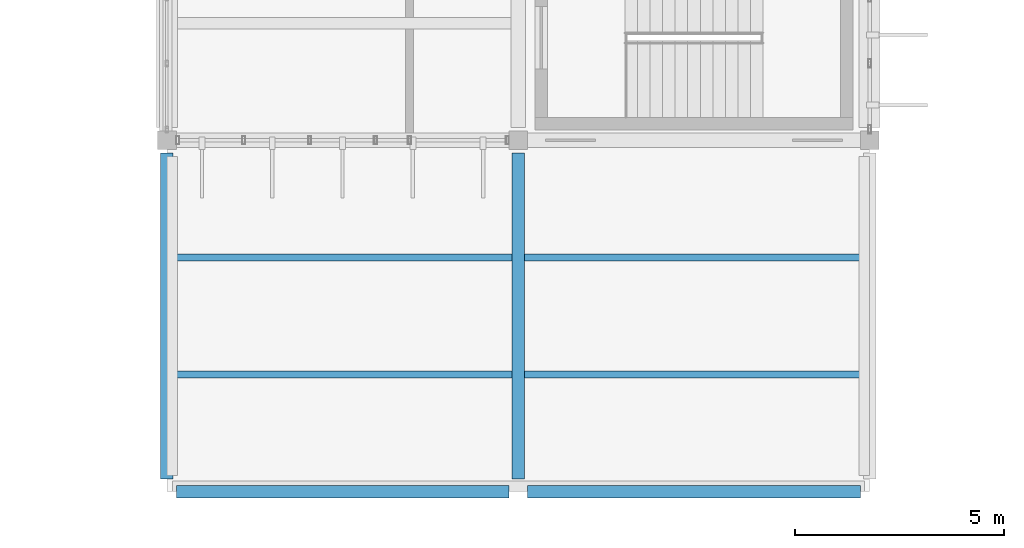
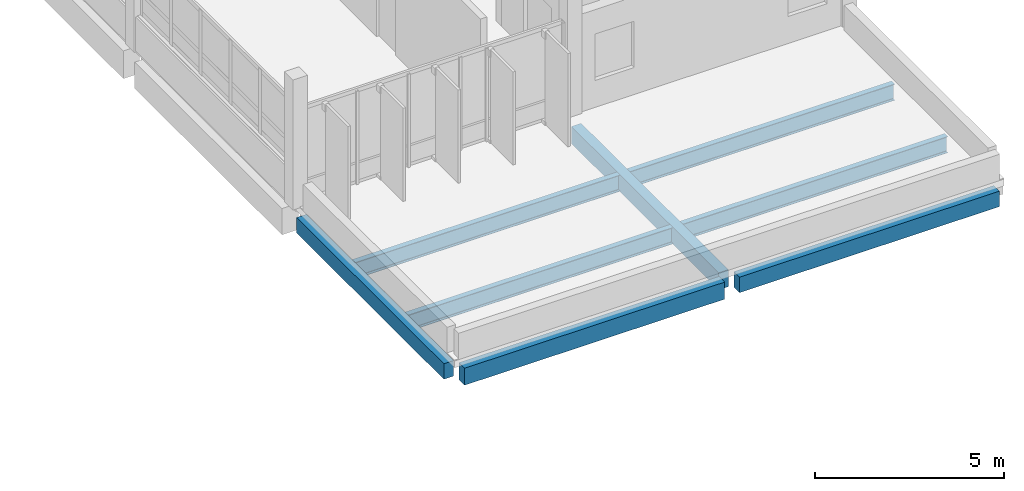
# One storey, part 10 of 62: 8 beams.
"""IFC4 building model written with IfcOpenShell, lengths in metres."""

from ifc_helpers import new_model, si_unit, direction, frame, origin, origin_2d, place, context, subcontext, project, spatial, rectangle, i_section, extrude, material, material_profile, profile_set, type_object, element, save


model = new_model("IFC4")

# Units and contexts
model_context = context("Model", 3, precision=1e-05, world=origin(), true_north=direction((0.0, 1.0)))
body_context = subcontext(model_context, "Body", "Model", "MODEL_VIEW")
ifc_project = project(units=[si_unit("LENGTHUNIT", "METRE"), si_unit("AREAUNIT", "SQUARE_METRE"), si_unit("VOLUMEUNIT", "CUBIC_METRE"), si_unit("PLANEANGLEUNIT", "RADIAN"), si_unit("MASSUNIT", "GRAM", prefix="KILO")], contexts=[model_context])

# Site, building, storey
site_placement = place(None, origin())
site = spatial("IfcSite", under=ifc_project, at=site_placement, CompositionType="ELEMENT")
building_placement = place(site_placement, origin())
building = spatial("IfcBuilding", under=site, at=building_placement, Name="Vireocrest Preparatory School", CompositionType="ELEMENT")
storey_placement = place(building_placement, frame((0.0, 0.0, 17.39990234375)))
storey = spatial("IfcBuildingStorey", under=building, at=storey_placement, Name="L04", CompositionType="ELEMENT", Elevation=17.39990234375)

# Beams
ifc_material_1 = material(Name="Structural steel ASTM A992 Grade 50", Category="steel")
ifc_material_profile_1 = material_profile(ifc_material_1, i_section(OverallWidth=0.166015625, OverallDepth=0.529052734375, WebThickness=0.009765625, FlangeThickness=0.013671875, FilletRadius=0.014892578125, at=origin_2d()), Name="W21X50")
ifc_profile_set_1 = profile_set([ifc_material_profile_1], Name="Structural steel ASTM A992 Grade 50")
beam_type_1 = type_object("IfcBeamType", Name="Pavilion Roof Joist W21X50", PredefinedType="JOIST", material=ifc_profile_set_1)
for number, where, z_axis, x_axis, name in (
    (1, (92.550048828125, 38.199951171875, -0.484375), (1.0, 0.0, 0.0), (0.0, 1.0, 0.0), "Secondary Joist SJ1 L04-1481"),
    (2, (92.550048828125, 41.0, -0.484375), (1.0, 0.0, 0.0), (0.0, 1.0, 0.0), "Secondary Joist SJ1 L04-1482"),
):
    element("IfcBeam", number, at=place(storey_placement, frame(where, z_axis=z_axis, x_axis=x_axis)), inside=storey, type_object=beam_type_1, Name=name, PredefinedType="JOIST", context=body_context, shape_type="SweptSolid", body=[
        extrude(i_section(OverallWidth=0.166015625, OverallDepth=0.529052734375, WebThickness=0.009765625, FlangeThickness=0.013671875, FilletRadius=0.014892578125, at=origin_2d()), origin(), (0.0, 0.0, 1.0), 8.099853515625),
    ])
for number, where, z_axis, x_axis, name in (
    (3, (100.949951171875, 38.199951171875, -0.484375), (1.0, 0.0, 0.0), (0.0, 1.0, 0.0), "Secondary Joist SJ1 L04-1499"),
    (4, (100.949951171875, 41.0, -0.484375), (1.0, 0.0, 0.0), (0.0, 1.0, 0.0), "Secondary Joist SJ1 L04-1500"),
):
    element("IfcBeam", number, at=place(storey_placement, frame(where, z_axis=z_axis, x_axis=x_axis)), inside=storey, type_object=beam_type_1, Name=name, PredefinedType="JOIST", context=body_context, shape_type="SweptSolid", body=[
        extrude(i_section(OverallWidth=0.166015625, OverallDepth=0.529052734375, WebThickness=0.009765625, FlangeThickness=0.013671875, FilletRadius=0.014892578125, at=origin_2d()), origin(), (0.0, 0.0, 1.0), 8.10009765625),
    ])
ifc_material_2 = material(Name="Concrete 40 MPa", Category="concrete")
ifc_material_profile_2 = material_profile(ifc_material_2, rectangle(XDim=0.300048828125, YDim=0.5, at=origin_2d()), Name="RC 300x500")
ifc_profile_set_2 = profile_set([ifc_material_profile_2], Name="Concrete 40 MPa")
beam_type_2 = type_object("IfcBeamType", Name="RC Roof Edge Beam 300x500", PredefinedType="BEAM", material=ifc_profile_set_2)
beam_1_placement = place(storey_placement, frame((101.02490234375, 35.39990234375, -0.469970703125), z_axis=(1.0, 0.0, 0.0), x_axis=(0.0, 1.0, 0.0)))
element("IfcBeam", 5, at=beam_1_placement, inside=storey, type_object=beam_type_2, Name="Primary Girder B01 L04-1295", PredefinedType="BEAM", context=body_context, shape_type="SweptSolid", body=[
    extrude(rectangle(XDim=0.300048828125, YDim=0.5, at=origin_2d()), origin(), (0.0, 0.0, 1.0), 7.9501953125),
])
beam_2_placement = place(storey_placement, frame((92.39990234375, 35.699951171875, -0.469970703125), z_axis=(0.0, 1.0, 0.0), x_axis=(-1.0, 0.0, 0.0)))
element("IfcBeam", 6, at=beam_2_placement, inside=storey, type_object=beam_type_2, Name="Primary Girder B01 L04-1392", PredefinedType="BEAM", context=body_context, shape_type="SweptSolid", body=[
    extrude(rectangle(XDim=0.300048828125, YDim=0.5, at=origin_2d()), origin(), (0.0, 0.0, 1.0), 7.800048828125),
])
ifc_material_profile_3 = material_profile(ifc_material_2, rectangle(XDim=0.300048828125, YDim=0.550048828125, at=origin_2d()), Name="RC 300x550")
ifc_profile_set_3 = profile_set([ifc_material_profile_3], Name="Concrete 40 MPa")
beam_type_3 = type_object("IfcBeamType", Name="RC Roof Girder 300x550", PredefinedType="BEAM", material=ifc_profile_set_3)
beam_3_placement = place(storey_placement, frame((92.625, 35.39990234375, -0.494873046875), z_axis=(1.0, 0.0, 0.0), x_axis=(0.0, 1.0, 0.0)))
element("IfcBeam", 7, at=beam_3_placement, inside=storey, type_object=beam_type_3, Name="Primary Girder B02 L04-1294", PredefinedType="BEAM", context=body_context, shape_type="SweptSolid", body=[
    extrude(rectangle(XDim=0.300048828125, YDim=0.550048828125, at=origin_2d()), origin(), (0.0, 0.0, 1.0), 7.949951171875),
])
beam_4_placement = place(storey_placement, frame((100.800048828125, 35.699951171875, -0.494873046875), z_axis=(0.0, 1.0, 0.0), x_axis=(-1.0, 0.0, 0.0)))
element("IfcBeam", 8, at=beam_4_placement, inside=storey, type_object=beam_type_3, Name="Primary Girder B02 L04-1401", PredefinedType="BEAM", context=body_context, shape_type="SweptSolid", body=[
    extrude(rectangle(XDim=0.300048828125, YDim=0.550048828125, at=origin_2d()), origin(), (0.0, 0.0, 1.0), 7.800048828125),
])

save(model, "model.ifc")
